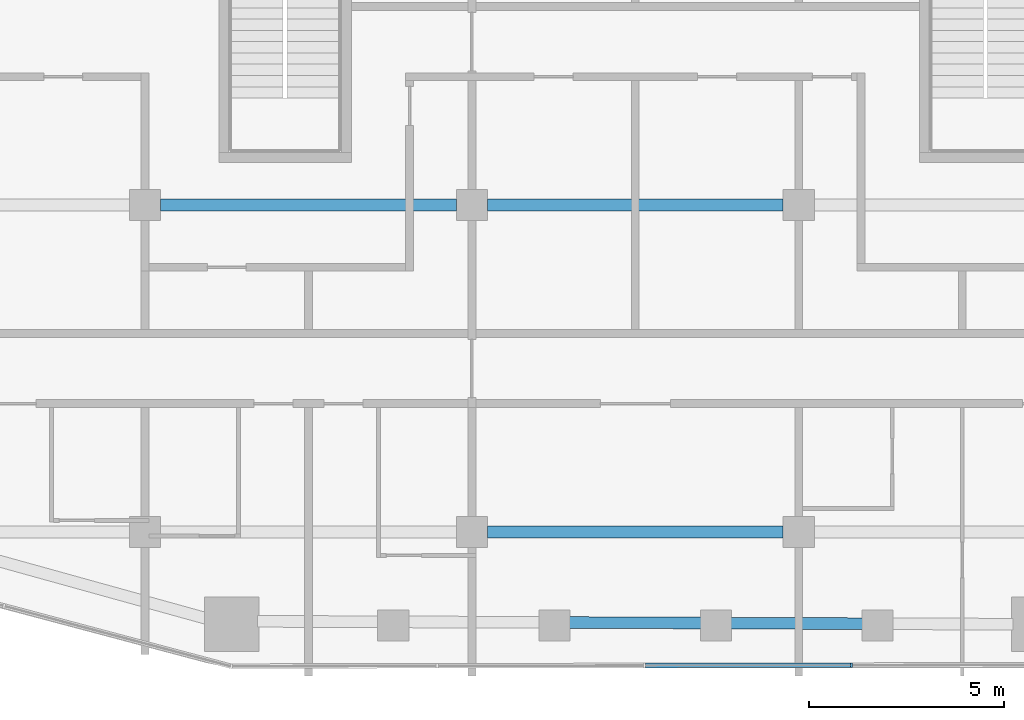
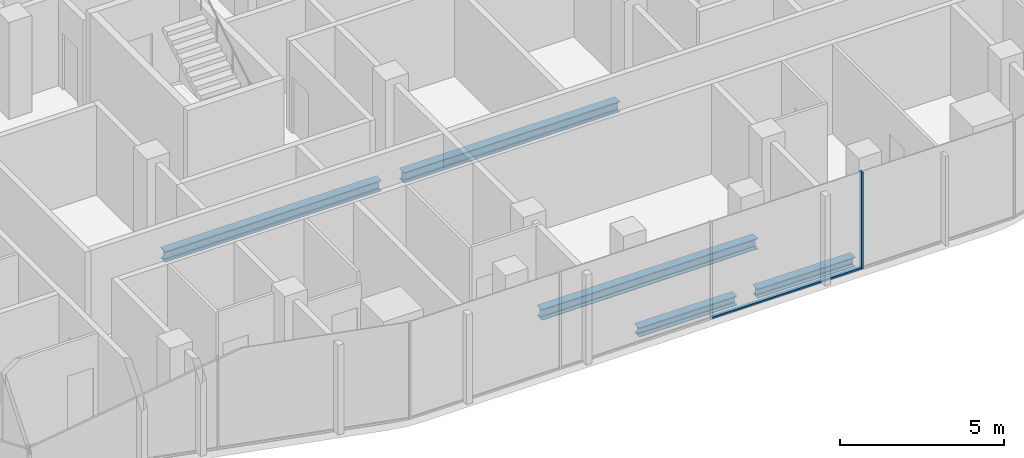
# One storey, part 3 of 22: 5 beams, 2 members, 1 element without a shape of its own.
"""IFC4 building model written with IfcOpenShell, lengths in metres."""

from ifc_helpers import new_model, si_unit, direction, frame, origin, origin_2d, place, context, subcontext, project, spatial, rectangle, i_section, extrude, material, layer, layer_set, material_profile, profile_set, type_object, element, aggregate, save


model = new_model("IFC4")

# Units and contexts
model_context = context("Model", 3, precision=1e-05, world=origin(), true_north=direction((0.0, 1.0)))
body_context = subcontext(model_context, "Body", "Model", "MODEL_VIEW")
ifc_project = project(units=[si_unit("LENGTHUNIT", "METRE"), si_unit("AREAUNIT", "SQUARE_METRE"), si_unit("VOLUMEUNIT", "CUBIC_METRE"), si_unit("PLANEANGLEUNIT", "RADIAN"), si_unit("MASSUNIT", "GRAM", prefix="KILO")], contexts=[model_context])

# Site, building, storey
site_placement = place(None, origin())
site = spatial("IfcSite", under=ifc_project, at=site_placement, CompositionType="ELEMENT")
building_placement = place(site_placement, origin())
building = spatial("IfcBuilding", under=site, at=building_placement, Name="Marenta Gate Hotel Tower", CompositionType="ELEMENT")
storey_placement = place(building_placement, frame((0.0, 0.0, 194.89990234375)))
storey = spatial("IfcBuildingStorey", under=building, at=storey_placement, Name="L44", CompositionType="ELEMENT", Elevation=194.89990234375)

# Beams
ifc_material_1 = material(Name="Steel S355", Category="steel")
ifc_material_profile_1 = material_profile(ifc_material_1, i_section(OverallWidth=0.300048828125, OverallDepth=0.340087890625, WebThickness=0.011962890625, FlangeThickness=0.021484375, FilletRadius=0.027099609375, at=origin_2d()), Name="HEB 340")
ifc_profile_set_1 = profile_set([ifc_material_profile_1], Name="Steel S355")
beam_type_1 = type_object("IfcBeamType", Name="Edge beam HEB 340", PredefinedType="SPANDREL", material=ifc_profile_set_1)
for number, where, z_axis, x_axis, name in (
    (1, (5.860107421875, -27.555419921875, -0.429931640625), (-0.999992599416, 0.003847221457, 0.0), (-0.003847221457, -0.999992599416, 0.0), "L44-EB-33"),
    (2, (1.71337890625, -27.539306640625, -0.429931640625), (-0.999992599416, 0.003847221457, 0.0), (-0.003847221457, -0.999992599416, 0.0), "L44-EB-34"),
):
    element("IfcBeam", number, at=place(storey_placement, frame(where, z_axis=z_axis, x_axis=x_axis)), inside=storey, type_object=beam_type_1, Name=name, PredefinedType="SPANDREL", context=body_context, shape_type="SweptSolid", body=[
        extrude(i_section(OverallWidth=0.300048828125, OverallDepth=0.340087890625, WebThickness=0.011962890625, FlangeThickness=0.021484375, FilletRadius=0.027099609375, at=origin_2d()), origin(), (0.0, 0.0, 1.0), 3.4267578125),
    ])
ifc_material_2 = material(Name="Steel S355", Category="steel")
ifc_material_profile_2 = material_profile(ifc_material_2, i_section(OverallWidth=0.300048828125, OverallDepth=0.39990234375, WebThickness=0.013427734375, FlangeThickness=0.02392578125, FilletRadius=0.027099609375, at=origin_2d()), Name="HEB 400")
ifc_profile_set_2 = profile_set([ifc_material_profile_2], Name="Steel S355")
beam_type_2 = type_object("IfcBeamType", Name="Girder HEB 400", PredefinedType="BEAM", material=ifc_profile_set_2)
beam_1_placement = place(storey_placement, frame((-3.800048828125, -25.199951171875, -0.4599609375), z_axis=(1.0, 0.0, 0.0), x_axis=(0.0, 1.0, 0.0)))
element("IfcBeam", 3, at=beam_1_placement, inside=storey, type_object=beam_type_2, Name="L44-GD-3", PredefinedType="BEAM", context=body_context, shape_type="SweptSolid", body=[
    extrude(i_section(OverallWidth=0.300048828125, OverallDepth=0.39990234375, WebThickness=0.013427734375, FlangeThickness=0.02392578125, FilletRadius=0.027099609375, at=origin_2d()), origin(), (0.0, 0.0, 1.0), 7.60009765625),
])
beam_2_placement = place(storey_placement, frame((-12.199951171875, -16.800048828125, -0.4599609375), z_axis=(1.0, 0.0, 0.0), x_axis=(0.0, 1.0, 0.0)))
element("IfcBeam", 4, at=beam_2_placement, inside=storey, type_object=beam_type_2, Name="L44-GD-8", PredefinedType="BEAM", context=body_context, shape_type="SweptSolid", body=[
    extrude(i_section(OverallWidth=0.300048828125, OverallDepth=0.39990234375, WebThickness=0.013427734375, FlangeThickness=0.02392578125, FilletRadius=0.027099609375, at=origin_2d()), origin(), (0.0, 0.0, 1.0), 7.599853515625),
])
beam_3_placement = place(storey_placement, frame((-3.800048828125, -16.800048828125, -0.4599609375), z_axis=(1.0, 0.0, 0.0), x_axis=(0.0, 1.0, 0.0)))
element("IfcBeam", 5, at=beam_3_placement, inside=storey, type_object=beam_type_2, Name="L44-GD-9", PredefinedType="BEAM", context=body_context, shape_type="SweptSolid", body=[
    extrude(i_section(OverallWidth=0.300048828125, OverallDepth=0.39990234375, WebThickness=0.013427734375, FlangeThickness=0.02392578125, FilletRadius=0.027099609375, at=origin_2d()), origin(), (0.0, 0.0, 1.0), 7.60009765625),
])

# Curtain wall, members
ifc_material_3 = material(Name="Tinted insulated glass in bronze anodised frame", Category="glass")
ifc_layer = layer(ifc_material_3, 0.1201171875)
ifc_layer_set = layer_set([ifc_layer], Name="Tinted insulated glass in bronze anodised frame")
curtain_wall_type = type_object("IfcCurtainWallType", Name="Tower unitised curtain wall CW1", PredefinedType="NOTDEFINED", material=ifc_layer_set)
curtain_wall_placement = place(storey_placement, origin())
curtain_wall = element("IfcCurtainWall", 6, at=curtain_wall_placement, inside=storey, type_object=curtain_wall_type, Name="CW1 run G07", PredefinedType="NOTDEFINED")
ifc_material_4 = material(Name="Bronze anodised aluminium", Category="aluminium")
ifc_material_profile_3 = material_profile(ifc_material_4, rectangle(XDim=0.1201171875, YDim=0.06005859375, at=origin_2d()), Name="Mullion CW1 60x120 bronze anodised aluminium")
ifc_profile_set_3 = profile_set([ifc_material_profile_3], Name="Bronze anodised aluminium")
member_type_1 = type_object("IfcMemberType", Name="Mullion CW1 60x120 bronze anodised aluminium", PredefinedType="MULLION", material=ifc_profile_set_3)
member_1_placement = place(storey_placement, frame((5.5537109375, -28.621337890625, 0.0), z_axis=(0.0, 0.0, 1.0), x_axis=(-0.001644757804, 0.999998647385, 0.0)))
member_1 = element("IfcMember", 7, at=member_1_placement, type_object=member_type_1, Name="CW1 mullion 4", PredefinedType="MULLION", context=body_context, shape_type="SweptSolid", body=[
    extrude(rectangle(XDim=0.1201171875, YDim=0.06005859375, at=origin_2d()), origin(), (0.0, 0.0, 1.0), 3.60009765625),
])
ifc_material_5 = material(Name="Bronze anodised aluminium", Category="aluminium")
ifc_material_profile_4 = material_profile(ifc_material_5, rectangle(XDim=0.1201171875, YDim=0.06005859375, at=origin_2d()), Name="Transom CW1 60x120 bronze anodised aluminium")
ifc_profile_set_4 = profile_set([ifc_material_profile_4], Name="Bronze anodised aluminium")
member_type_2 = type_object("IfcMemberType", Name="Transom CW1 60x120 bronze anodised aluminium", PredefinedType="USERDEFINED", material=ifc_profile_set_4)
member_2_placement = place(storey_placement, frame((0.263916015625, -28.6298828125, 0.030029296875), z_axis=(0.999998680369, 0.001624580106, 0.0), x_axis=(-0.001624580106, 0.999998680369, 0.0)))
member_2 = element("IfcMember", 8, at=member_2_placement, type_object=member_type_2, Name="CW1 transom 3.1", ObjectType="TRANSOM", PredefinedType="USERDEFINED", context=body_context, shape_type="SweptSolid", body=[
    extrude(rectangle(XDim=0.1201171875, YDim=0.06005859375, at=origin_2d()), origin(), (0.0, 0.0, 1.0), 5.259765625),
])
aggregate(curtain_wall, [member_1, member_2])

save(model, "model.ifc")
